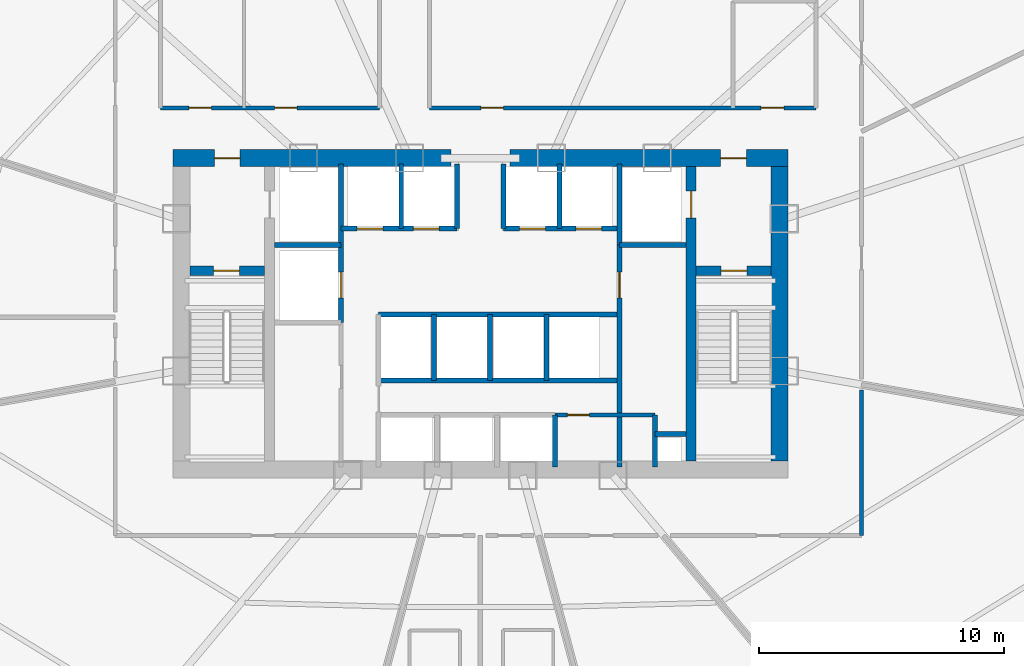
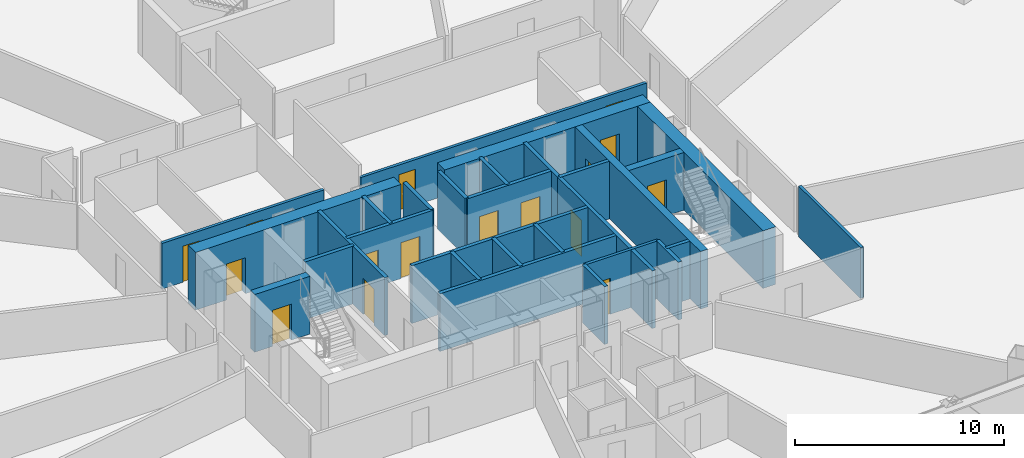
# One storey, part 31 of 38: 29 walls, 16 doors, 16 openings.
"""IFC4 building model written with IfcOpenShell, lengths in metres."""

from ifc_helpers import new_model, si_unit, direction, frame, frame_2d, origin, origin_with_axes, place, context, subcontext, project, spatial, rectangle, extrude, source, transform, mapped, material, layer, layer_set, type_object, element, fill, save


model = new_model("IFC4")

# Units and contexts
model_context = context("Model", 3, precision=1e-05, world=origin(), true_north=direction((0.0, 1.0)))
body_context = subcontext(model_context, "Body", "Model", "MODEL_VIEW")
ifc_project = project(units=[si_unit("LENGTHUNIT", "METRE"), si_unit("AREAUNIT", "SQUARE_METRE"), si_unit("VOLUMEUNIT", "CUBIC_METRE"), si_unit("PLANEANGLEUNIT", "RADIAN"), si_unit("MASSUNIT", "GRAM", prefix="KILO"), si_unit("THERMODYNAMICTEMPERATUREUNIT", "KELVIN"), si_unit("POWERUNIT", "WATT")], contexts=[model_context])

# Site, building, storey
site_placement = place(None, origin())
site = spatial("IfcSite", under=ifc_project, at=site_placement, CompositionType="ELEMENT")
building_placement = place(site_placement, origin())
building = spatial("IfcBuilding", under=site, at=building_placement, Name="Yunzhuo Pagoda Commons", CompositionType="ELEMENT")
storey_placement = place(building_placement, frame((0.0, 0.0, 37.659912109375)))
storey = spatial("IfcBuildingStorey", under=building, at=storey_placement, Name="L09", CompositionType="ELEMENT", Elevation=37.659912109375)

# Wall, opening, door
ifc_material_1 = material(Name="Concrete C60", Category="concrete")
ifc_layer_1 = layer(ifc_material_1, 0.699951171875)
ifc_layer_set_1 = layer_set([ifc_layer_1], Name="Concrete C60")
wall_type_1 = type_object("IfcWallType", Name="W-C01 Lower Core Shear Wall 700", PredefinedType="SHEAR", material=ifc_layer_set_1)
wall_1_placement = place(storey_placement, frame((35.449951171875, 40.199951171875, 0.0), z_axis=(0.0, 0.0, 1.0), x_axis=(1.0, 0.0, 0.0)))
wall_1 = element("IfcWall", 1, at=wall_1_placement, inside=storey, type_object=wall_type_1, Name="L09 core shear wall NW", PredefinedType="SHEAR", context=body_context, shape_type="SweptSolid", body=[
    extrude(rectangle(XDim=11.35009765625, YDim=0.699951171875, at=frame_2d((5.675048828125, 0.0))), origin(), (0.0, 0.0, 1.0), 3.3701171875),
])
opening_1_placement = place(wall_1_placement, frame((1.699951171875, 0.0, 0.0)))
opening_1 = element("IfcOpeningElement", 2, at=opening_1_placement, cuts=wall_1, Name="Opening D-02", PredefinedType="OPENING", context=body_context, shape_type="SweptSolid", body=[
    extrude(rectangle(XDim=1.050048828125, YDim=2.10009765625, at=frame_2d((0.52490234375, 1.050048828125))), frame((0.0, 0.35986328125, 0.0), z_axis=(0.0, -1.0, 0.0), x_axis=(1.0, 0.0, 0.0)), (0.0, 0.0, 1.0), 0.719970703125),
])
ifc_material_2 = material(Name="Galvanized fire-resisting metal leaf")
door_type_1 = type_object("IfcDoorType", Name="D-02 Firefighting Lobby & Refuge Fire Door 1050x2100", OperationType="NOTDEFINED", PredefinedType="DOOR", material=ifc_material_2)
shared_shape_1 = source(origin(), body_context, "Body", "SweptSolid", [
    extrude(rectangle(XDim=1.050048828125, YDim=2.10009765625, at=frame_2d((0.52490234375, 1.050048828125))), frame((0.0, 0.02490234375, 0.0), z_axis=(0.0, -1.0, 0.0), x_axis=(1.0, 0.0, 0.0)), (0.0, 0.0, 1.0), 0.050048828125),
])
door_1_placement = place(opening_1_placement, frame((1.050048828125, 0.0, 0.0), z_axis=(0.0, 0.0, 1.0), x_axis=(-1.0, 0.0, 0.0)))
door_1 = element("IfcDoor", 3, at=door_1_placement, inside=storey, type_object=door_type_1, Name="L09 Firefighting Lobby 1 fire door", OperationType="SINGLE_SWING_LEFT", OverallHeight=2.10009765625, OverallWidth=1.050048828125, PredefinedType="DOOR", context=body_context, shape_type="MappedRepresentation", body=[
    mapped(shared_shape_1, transform((0.0, 0.0, 0.0), scale=1.0)),
])
fill(opening_1, door_1)

wall_2_placement = place(storey_placement, frame((49.199951171875, 40.199951171875, 0.0), z_axis=(0.0, 0.0, 1.0), x_axis=(1.0, 0.0, 0.0)))
wall_2 = element("IfcWall", 4, at=wall_2_placement, inside=storey, type_object=wall_type_1, Name="L09 core shear wall NE", PredefinedType="SHEAR", context=body_context, shape_type="SweptSolid", body=[
    extrude(rectangle(XDim=11.35009765625, YDim=0.699951171875, at=frame_2d((5.675048828125, 0.0))), origin(), (0.0, 0.0, 1.0), 3.3701171875),
])
opening_2_placement = place(wall_2_placement, frame((8.60009765625, 0.0, 0.0)))
opening_2 = element("IfcOpeningElement", 5, at=opening_2_placement, cuts=wall_2, Name="Opening D-02", PredefinedType="OPENING", context=body_context, shape_type="SweptSolid", body=[
    extrude(rectangle(XDim=1.050048828125, YDim=2.10009765625, at=frame_2d((0.52490234375, 1.050048828125))), frame((0.0, 0.35986328125, 0.0), z_axis=(0.0, -1.0, 0.0), x_axis=(1.0, 0.0, 0.0)), (0.0, 0.0, 1.0), 0.719970703125),
])
door_2_placement = place(opening_2_placement, frame((1.050048828125, 0.0, 0.0), z_axis=(0.0, 0.0, 1.0), x_axis=(-1.0, 0.0, 0.0)))
door_2 = element("IfcDoor", 6, at=door_2_placement, inside=storey, type_object=door_type_1, Name="L09 Firefighting Lobby 2 fire door", OperationType="SINGLE_SWING_RIGHT", OverallHeight=2.10009765625, OverallWidth=1.050048828125, PredefinedType="DOOR", context=body_context, shape_type="MappedRepresentation", body=[
    mapped(shared_shape_1, transform((0.0, 0.0, 0.0), scale=1.0)),
])
fill(opening_2, door_2)

# Wall
wall_3_placement = place(storey_placement, frame((60.199951171875, 27.85009765625, 0.0), z_axis=(0.0, 0.0, 1.0), x_axis=(0.0, 1.0, 0.0)))
element("IfcWall", 7, at=wall_3_placement, inside=storey, type_object=wall_type_1, Name="L09 core shear wall E", PredefinedType="SHEAR", context=body_context, shape_type="SweptSolid", body=[
    extrude(rectangle(XDim=12.0, YDim=0.699951171875, at=frame_2d((6.0, 0.0))), origin(), (0.0, 0.0, 1.0), 3.3701171875),
])

# Wall, opening, door
ifc_material_3 = material(Name="Gypsum plasterboard on acoustic stud")
ifc_layer_2 = layer(ifc_material_3, 0.159912109375)
ifc_layer_set_2 = layer_set([ifc_layer_2], Name="Gypsum plasterboard on acoustic stud")
wall_type_2 = type_object("IfcWallType", Name="W-COR1 Tower Rated Corridor Wall 160", PredefinedType="PARTITIONING", material=ifc_layer_set_2)
wall_4_placement = place(storey_placement, frame((51.050048828125, 29.719970703125, 0.0), z_axis=(0.0, 0.0, 1.0), x_axis=(1.0, 0.0, 0.0)))
wall_4 = element("IfcWall", 8, at=wall_4_placement, inside=storey, type_object=wall_type_2, Name="L09 interior wall IW-L09-CSES", PredefinedType="PARTITIONING", context=body_context, shape_type="SweptSolid", body=[
    extrude(rectangle(XDim=4.070068359375, YDim=0.159912109375, at=frame_2d((2.03515625, 0.0))), origin(), (0.0, 0.0, 1.0), 3.3701171875),
])
opening_3_placement = place(wall_4_placement, frame((0.5, 0.0, 0.0)))
opening_3 = element("IfcOpeningElement", 9, at=opening_3_placement, cuts=wall_4, Name="Opening D-03", PredefinedType="OPENING", context=body_context, shape_type="SweptSolid", body=[
    extrude(rectangle(XDim=0.89990234375, YDim=2.10009765625, at=frame_2d((0.449951171875, 1.050048828125))), frame((0.0, 0.08984375, 0.0), z_axis=(0.0, -1.0, 0.0), x_axis=(1.0, 0.0, 0.0)), (0.0, 0.0, 1.0), 0.179931640625),
])
door_type_2 = type_object("IfcDoorType", Name="D-03 Core Service Fire Door 900x2100", OperationType="NOTDEFINED", PredefinedType="DOOR", material=ifc_material_2)
shared_shape_2 = source(origin(), body_context, "Body", "SweptSolid", [
    extrude(rectangle(XDim=0.89990234375, YDim=2.10009765625, at=frame_2d((0.449951171875, 1.050048828125))), frame((0.0, 0.02490234375, 0.0), z_axis=(0.0, -1.0, 0.0), x_axis=(1.0, 0.0, 0.0)), (0.0, 0.0, 1.0), 0.050048828125),
])
door_3_placement = place(opening_3_placement, origin_with_axes())
door_3 = element("IfcDoor", 10, at=door_3_placement, inside=storey, type_object=door_type_2, Name="L09 cleaner store door", OperationType="SINGLE_SWING_LEFT", OverallHeight=2.10009765625, OverallWidth=0.89990234375, PredefinedType="DOOR", context=body_context, shape_type="MappedRepresentation", body=[
    mapped(shared_shape_2, transform((0.0, 0.0, 0.0), scale=1.0)),
])
fill(opening_3, door_3)

# Wall, openings, doors
wall_5_placement = place(storey_placement, frame((34.949951171875, 42.25, 0.0), z_axis=(0.0, 0.0, 1.0), x_axis=(1.0, 0.0, 0.0)))
wall_5 = element("IfcWall", 11, at=wall_5_placement, inside=storey, type_object=wall_type_2, Name="L09 interior wall IW-L09-ISLWS", PredefinedType="PARTITIONING", context=body_context, shape_type="SweptSolid", body=[
    extrude(rectangle(XDim=8.929931640625, YDim=0.159912109375, at=frame_2d((4.46484375, 0.0))), origin(), (0.0, 0.0, 1.0), 2.670166015625),
])
opening_4_placement = place(wall_5_placement, frame((1.14990234375, 0.0, 0.0)))
opening_4 = element("IfcOpeningElement", 12, at=opening_4_placement, cuts=wall_5, Name="Opening D-04", PredefinedType="OPENING", context=body_context, shape_type="SweptSolid", body=[
    extrude(rectangle(XDim=0.919921875, YDim=2.10009765625, at=frame_2d((0.4599609375, 1.050048828125))), frame((0.0, 0.08984375, 0.0), z_axis=(0.0, -1.0, 0.0), x_axis=(1.0, 0.0, 0.0)), (0.0, 0.0, 1.0), 0.179931640625),
])
opening_5_placement = place(wall_5_placement, frame((4.64990234375, 0.0, 0.0)))
opening_5 = element("IfcOpeningElement", 13, at=opening_5_placement, cuts=wall_5, Name="Opening D-04", PredefinedType="OPENING", context=body_context, shape_type="SweptSolid", body=[
    extrude(rectangle(XDim=0.919921875, YDim=2.10009765625, at=frame_2d((0.4599609375, 1.050048828125))), frame((0.0, 0.08984375, 0.0), z_axis=(0.0, -1.0, 0.0), x_axis=(1.0, 0.0, 0.0)), (0.0, 0.0, 1.0), 0.179931640625),
])
ifc_material_4 = material(Name="Powder-coated aluminium and timber acoustic leaf", Category="wood")
door_type_3 = type_object("IfcDoorType", Name="D-04 Bedroom & Study Interior Door 920x2100", OperationType="NOTDEFINED", PredefinedType="DOOR", material=ifc_material_4)
shared_shape_3 = source(origin(), body_context, "Body", "SweptSolid", [
    extrude(rectangle(XDim=0.919921875, YDim=2.10009765625, at=frame_2d((0.4599609375, 1.050048828125))), frame((0.0, 0.02490234375, 0.0), z_axis=(0.0, -1.0, 0.0), x_axis=(1.0, 0.0, 0.0)), (0.0, 0.0, 1.0), 0.050048828125),
])
door_4_placement = place(opening_4_placement, frame((0.919921875, 0.0, 0.0), z_axis=(0.0, 0.0, 1.0), x_axis=(-1.0, 0.0, 0.0)))
door_4 = element("IfcDoor", 14, at=door_4_placement, inside=storey, type_object=door_type_3, Name="L09 laundry door", OperationType="SINGLE_SWING_LEFT", OverallHeight=2.10009765625, OverallWidth=0.919921875, PredefinedType="DOOR", context=body_context, shape_type="MappedRepresentation", body=[
    mapped(shared_shape_3, transform((0.0, 0.0, 0.0), scale=1.0)),
])
fill(opening_4, door_4)
door_5_placement = place(opening_5_placement, frame((0.919921875, 0.0, 0.0), z_axis=(0.0, 0.0, 1.0), x_axis=(-1.0, 0.0, 0.0)))
door_5 = element("IfcDoor", 15, at=door_5_placement, inside=storey, type_object=door_type_3, Name="L09 study commons W door", OperationType="SINGLE_SWING_RIGHT", OverallHeight=2.10009765625, OverallWidth=0.919921875, PredefinedType="DOOR", context=body_context, shape_type="MappedRepresentation", body=[
    mapped(shared_shape_3, transform((0.0, 0.0, 0.0), scale=1.0)),
])
fill(opening_5, door_5)

wall_6_placement = place(storey_placement, frame((45.919921875, 42.25, 0.0), z_axis=(0.0, 0.0, 1.0), x_axis=(1.0, 0.0, 0.0)))
wall_6 = element("IfcWall", 16, at=wall_6_placement, inside=storey, type_object=wall_type_2, Name="L09 interior wall IW-L09-ISLES", PredefinedType="PARTITIONING", context=body_context, shape_type="SweptSolid", body=[
    extrude(rectangle(XDim=15.780029296875, YDim=0.159912109375, at=frame_2d((7.89013671875, 0.0))), origin(), (0.0, 0.0, 1.0), 2.670166015625),
])
opening_6_placement = place(wall_6_placement, frame((2.10009765625, 0.0, 0.0)))
opening_6 = element("IfcOpeningElement", 17, at=opening_6_placement, cuts=wall_6, Name="Opening D-04", PredefinedType="OPENING", context=body_context, shape_type="SweptSolid", body=[
    extrude(rectangle(XDim=0.919921875, YDim=2.10009765625, at=frame_2d((0.4599609375, 1.050048828125))), frame((0.0, 0.08984375, 0.0), z_axis=(0.0, -1.0, 0.0), x_axis=(1.0, 0.0, 0.0)), (0.0, 0.0, 1.0), 0.179931640625),
])
opening_7_placement = place(wall_6_placement, frame((13.530029296875, 0.0, 0.0)))
opening_7 = element("IfcOpeningElement", 18, at=opening_7_placement, cuts=wall_6, Name="Opening D-11", PredefinedType="OPENING", context=body_context, shape_type="SweptSolid", body=[
    extrude(rectangle(XDim=0.93994140625, YDim=2.10009765625, at=frame_2d((0.469970703125, 1.050048828125))), frame((0.0, 0.08984375, 0.0), z_axis=(0.0, -1.0, 0.0), x_axis=(1.0, 0.0, 0.0)), (0.0, 0.0, 1.0), 0.179931640625),
])
door_type_4 = type_object("IfcDoorType", Name="D-11 Accessible Washroom Fire Door 940x2100", OperationType="NOTDEFINED", PredefinedType="DOOR", material=ifc_material_2)
shared_shape_4 = source(origin(), body_context, "Body", "SweptSolid", [
    extrude(rectangle(XDim=0.93994140625, YDim=2.10009765625, at=frame_2d((0.469970703125, 1.050048828125))), frame((0.0, 0.02490234375, 0.0), z_axis=(0.0, -1.0, 0.0), x_axis=(1.0, 0.0, 0.0)), (0.0, 0.0, 1.0), 0.050048828125),
])
door_6_placement = place(opening_7_placement, frame((0.93994140625, 0.0, 0.0), z_axis=(0.0, 0.0, 1.0), x_axis=(-1.0, 0.0, 0.0)))
door_6 = element("IfcDoor", 19, at=door_6_placement, inside=storey, type_object=door_type_4, Name="L09 accessible WC door", OperationType="SINGLE_SWING_RIGHT", OverallHeight=2.10009765625, OverallWidth=0.93994140625, PredefinedType="DOOR", context=body_context, shape_type="MappedRepresentation", body=[
    mapped(shared_shape_4, transform((0.0, 0.0, 0.0), scale=1.0)),
])
fill(opening_7, door_6)
door_7_placement = place(opening_6_placement, frame((0.919921875, 0.0, 0.0), z_axis=(0.0, 0.0, 1.0), x_axis=(-1.0, 0.0, 0.0)))
door_7 = element("IfcDoor", 20, at=door_7_placement, inside=storey, type_object=door_type_3, Name="L09 reading commons door", OperationType="SINGLE_SWING_LEFT", OverallHeight=2.10009765625, OverallWidth=0.919921875, PredefinedType="DOOR", context=body_context, shape_type="MappedRepresentation", body=[
    mapped(shared_shape_3, transform((0.0, 0.0, 0.0), scale=1.0)),
])
fill(opening_6, door_7)

# Wall
wall_7_placement = place(storey_placement, frame((63.550048828125, 30.734619140625, 0.0), z_axis=(0.0, 0.0, 1.0), x_axis=(0.0, -1.0, 0.0)))
element("IfcWall", 21, at=wall_7_placement, inside=storey, type_object=wall_type_2, Name="L09 interior wall IW-L09-CWL16", PredefinedType="PARTITIONING", context=body_context, shape_type="SweptSolid", body=[
    extrude(rectangle(XDim=5.9345703125, YDim=0.159912109375, at=frame_2d((2.96728515625, 0.0))), origin(), (0.0, 0.0, 1.0), 2.969970703125),
])

# Wall, opening, door
ifc_layer_3 = layer(ifc_material_1, 0.39990234375)
ifc_layer_set_3 = layer_set([ifc_layer_3], Name="Concrete C60")
wall_type_3 = type_object("IfcWallType", Name="W-S01 Internal Core Shear Web 400", PredefinedType="SHEAR", material=ifc_layer_set_3)
wall_8_placement = place(storey_placement, frame((56.60009765625, 27.85009765625, 0.0), z_axis=(0.0, 0.0, 1.0), x_axis=(0.0, 1.0, 0.0)))
wall_8 = element("IfcWall", 22, at=wall_8_placement, inside=storey, type_object=wall_type_3, Name="L09 core shear wall WEBE", PredefinedType="SHEAR", context=body_context, shape_type="SweptSolid", body=[
    extrude(rectangle(XDim=12.0, YDim=0.39990234375, at=frame_2d((6.0, 0.0))), origin(), (0.0, 0.0, 1.0), 3.3701171875),
])
opening_8_placement = place(wall_8_placement, frame((9.89990234375, 0.0, 0.0)))
opening_8 = element("IfcOpeningElement", 23, at=opening_8_placement, cuts=wall_8, Name="Opening LD-01", PredefinedType="OPENING", context=body_context, shape_type="SweptSolid", body=[
    extrude(rectangle(XDim=1.10009765625, YDim=2.10009765625, at=frame_2d((0.550048828125, 1.050048828125))), frame((0.0, 0.2099609375, 0.0), z_axis=(0.0, -1.0, 0.0), x_axis=(1.0, 0.0, 0.0)), (0.0, 0.0, 1.0), 0.419921875),
])
door_type_5 = type_object("IfcDoorType", Name="LD-01 Firefighting Lift Landing Door 1100x2100", OperationType="DOUBLE_DOOR_SLIDING", PredefinedType="DOOR", material=ifc_material_2)
shared_shape_5 = source(origin(), body_context, "Body", "SweptSolid", [
    extrude(rectangle(XDim=1.10009765625, YDim=2.10009765625, at=frame_2d((0.550048828125, 1.050048828125))), frame((0.0, 0.02490234375, 0.0), z_axis=(0.0, -1.0, 0.0), x_axis=(1.0, 0.0, 0.0)), (0.0, 0.0, 1.0), 0.050048828125),
])
door_8_placement = place(opening_8_placement, origin_with_axes())
door_8 = element("IfcDoor", 24, at=door_8_placement, inside=storey, type_object=door_type_5, Name="L09 Firefighting lift FL-2 landing door", OperationType="DOUBLE_DOOR_SLIDING", OverallHeight=2.10009765625, OverallWidth=1.10009765625, PredefinedType="DOOR", context=body_context, shape_type="MappedRepresentation", body=[
    mapped(shared_shape_5, transform((0.0, 0.0, 0.0), scale=1.0)),
])
fill(opening_8, door_8)

wall_9_placement = place(storey_placement, frame((36.14990234375, 35.60009765625, 0.0), z_axis=(0.0, 0.0, 1.0), x_axis=(1.0, 0.0, 0.0)))
wall_9 = element("IfcWall", 25, at=wall_9_placement, inside=storey, type_object=wall_type_3, Name="L09 core shear wall STW", PredefinedType="SHEAR", context=body_context, shape_type="SweptSolid", body=[
    extrude(rectangle(XDim=3.050048828125, YDim=0.39990234375, at=frame_2d((1.52490234375, 0.0))), origin(), (0.0, 0.0, 1.0), 3.3701171875),
])
opening_9_placement = place(wall_9_placement, frame((0.969970703125, 0.0, 0.0)))
opening_9 = element("IfcOpeningElement", 26, at=opening_9_placement, cuts=wall_9, Name="Opening D-01", PredefinedType="OPENING", context=body_context, shape_type="SweptSolid", body=[
    extrude(rectangle(XDim=1.050048828125, YDim=2.10009765625, at=frame_2d((0.52490234375, 1.050048828125))), frame((0.0, 0.2099609375, 0.0), z_axis=(0.0, -1.0, 0.0), x_axis=(1.0, 0.0, 0.0)), (0.0, 0.0, 1.0), 0.419921875),
])
door_type_6 = type_object("IfcDoorType", Name="D-01 Smokeproof Stair Fire Door 1050x2100", OperationType="NOTDEFINED", PredefinedType="DOOR", material=ifc_material_2)
door_9_placement = place(opening_9_placement, frame((1.050048828125, 0.0, 0.0), z_axis=(0.0, 0.0, 1.0), x_axis=(-1.0, 0.0, 0.0)))
door_9 = element("IfcDoor", 27, at=door_9_placement, inside=storey, type_object=door_type_6, Name="L09 Stair ST1 fire door", OperationType="SINGLE_SWING_LEFT", OverallHeight=2.10009765625, OverallWidth=1.050048828125, PredefinedType="DOOR", context=body_context, shape_type="MappedRepresentation", body=[
    mapped(shared_shape_1, transform((0.0, 0.0, 0.0), scale=1.0)),
])
fill(opening_9, door_9)

wall_10_placement = place(storey_placement, frame((56.800048828125, 35.60009765625, 0.0), z_axis=(0.0, 0.0, 1.0), x_axis=(1.0, 0.0, 0.0)))
wall_10 = element("IfcWall", 28, at=wall_10_placement, inside=storey, type_object=wall_type_3, Name="L09 core shear wall STE", PredefinedType="SHEAR", context=body_context, shape_type="SweptSolid", body=[
    extrude(rectangle(XDim=3.050048828125, YDim=0.39990234375, at=frame_2d((1.52490234375, 0.0))), origin(), (0.0, 0.0, 1.0), 3.3701171875),
])
opening_10_placement = place(wall_10_placement, frame((1.02001953125, 0.0, 0.0)))
opening_10 = element("IfcOpeningElement", 29, at=opening_10_placement, cuts=wall_10, Name="Opening D-01", PredefinedType="OPENING", context=body_context, shape_type="SweptSolid", body=[
    extrude(rectangle(XDim=1.050048828125, YDim=2.10009765625, at=frame_2d((0.52490234375, 1.050048828125))), frame((0.0, 0.2099609375, 0.0), z_axis=(0.0, -1.0, 0.0), x_axis=(1.0, 0.0, 0.0)), (0.0, 0.0, 1.0), 0.419921875),
])
door_10_placement = place(opening_10_placement, frame((1.050048828125, 0.0, 0.0), z_axis=(0.0, 0.0, 1.0), x_axis=(-1.0, 0.0, 0.0)))
door_10 = element("IfcDoor", 30, at=door_10_placement, inside=storey, type_object=door_type_6, Name="L09 Stair ST2 fire door", OperationType="SINGLE_SWING_RIGHT", OverallHeight=2.10009765625, OverallWidth=1.050048828125, PredefinedType="DOOR", context=body_context, shape_type="MappedRepresentation", body=[
    mapped(shared_shape_1, transform((0.0, 0.0, 0.0), scale=1.0)),
])
fill(opening_10, door_10)

ifc_material_5 = material(Name="Concrete C40", Category="concrete")
ifc_layer_4 = layer(ifc_material_5, 0.199951171875)
ifc_layer_set_4 = layer_set([ifc_layer_4], Name="Concrete C40")
wall_type_4 = type_object("IfcWallType", Name="W-SHF Shaft & Stair Enclosure Wall 200", PredefinedType="SOLIDWALL", material=ifc_layer_set_4)
wall_11_placement = place(storey_placement, frame((42.320068359375, 33.5, 0.0), z_axis=(0.0, 0.0, 1.0), x_axis=(0.0, 1.0, 0.0)))
wall_11 = element("IfcWall", 31, at=wall_11_placement, inside=storey, type_object=wall_type_4, Name="L09 interior wall IW-L09-FL1E", PredefinedType="SOLIDWALL", context=body_context, shape_type="SweptSolid", body=[
    extrude(rectangle(XDim=6.449951171875, YDim=0.199951171875, at=frame_2d((3.22509765625, 0.0))), origin(), (0.0, 0.0, 1.0), 3.3701171875),
])
opening_11_placement = place(wall_11_placement, frame((1.0, 0.0, 0.0)))
opening_11 = element("IfcOpeningElement", 32, at=opening_11_placement, cuts=wall_11, Name="Opening LD-02", PredefinedType="OPENING", context=body_context, shape_type="SweptSolid", body=[
    extrude(rectangle(XDim=1.050048828125, YDim=2.10009765625, at=frame_2d((0.52490234375, 1.050048828125))), frame((0.0, 0.10986328125, 0.0), z_axis=(0.0, -1.0, 0.0), x_axis=(1.0, 0.0, 0.0)), (0.0, 0.0, 1.0), 0.219970703125),
])
door_type_7 = type_object("IfcDoorType", Name="LD-02 Passenger Lift Landing Door 1050x2100", OperationType="DOUBLE_DOOR_SLIDING", PredefinedType="DOOR", material=ifc_material_2)
door_11_placement = place(opening_11_placement, origin_with_axes())
door_11 = element("IfcDoor", 33, at=door_11_placement, inside=storey, type_object=door_type_7, Name="L09 Service lift SL-1 landing door", OperationType="DOUBLE_DOOR_SLIDING", OverallHeight=2.10009765625, OverallWidth=1.050048828125, PredefinedType="DOOR", context=body_context, shape_type="MappedRepresentation", body=[
    mapped(shared_shape_1, transform((0.0, 0.0, 0.0), scale=1.0)),
])
fill(opening_11, door_11)

# Walls
wall_12_placement = place(storey_placement, frame((39.60009765625, 36.64990234375, 0.0), z_axis=(0.0, 0.0, 1.0), x_axis=(1.0, 0.0, 0.0)))
element("IfcWall", 34, at=wall_12_placement, inside=storey, type_object=wall_type_4, Name="L09 interior wall IW-L09-FL1S", PredefinedType="SOLIDWALL", context=body_context, shape_type="SweptSolid", body=[
    extrude(rectangle(XDim=2.719970703125, YDim=0.199951171875, at=frame_2d((1.35986328125, 0.0))), origin(), (0.0, 0.0, 1.0), 3.3701171875),
])
wall_13_placement = place(storey_placement, frame((53.679931640625, 36.64990234375, 0.0), z_axis=(0.0, 0.0, 1.0), x_axis=(0.0, 1.0, 0.0)))
element("IfcWall", 35, at=wall_13_placement, inside=storey, type_object=wall_type_4, Name="L09 interior wall IW-L09-FL2W", PredefinedType="SOLIDWALL", context=body_context, shape_type="SweptSolid", body=[
    extrude(rectangle(XDim=3.300048828125, YDim=0.199951171875, at=frame_2d((1.64990234375, 0.0))), origin(), (0.0, 0.0, 1.0), 3.3701171875),
])
wall_14_placement = place(storey_placement, frame((53.679931640625, 36.64990234375, 0.0), z_axis=(0.0, 0.0, 1.0), x_axis=(1.0, 0.0, 0.0)))
element("IfcWall", 36, at=wall_14_placement, inside=storey, type_object=wall_type_4, Name="L09 interior wall IW-L09-FL2S", PredefinedType="SOLIDWALL", context=body_context, shape_type="SweptSolid", body=[
    extrude(rectangle(XDim=2.719970703125, YDim=0.199951171875, at=frame_2d((1.35986328125, 0.0))), origin(), (0.0, 0.0, 1.0), 3.3701171875),
])

# Wall, openings, doors
wall_15_placement = place(storey_placement, frame((42.320068359375, 37.320068359375, 0.0), z_axis=(0.0, 0.0, 1.0), x_axis=(1.0, 0.0, 0.0)))
wall_15 = element("IfcWall", 37, at=wall_15_placement, inside=storey, type_object=wall_type_4, Name="L09 interior wall IW-L09-LBNW", PredefinedType="SOLIDWALL", context=body_context, shape_type="SweptSolid", body=[
    extrude(rectangle(XDim=4.72998046875, YDim=0.199951171875, at=frame_2d((2.364990234375, 0.0))), origin(), (0.0, 0.0, 1.0), 3.3701171875),
])
opening_12_placement = place(wall_15_placement, frame((0.64990234375, 0.0, 0.0)))
opening_12 = element("IfcOpeningElement", 38, at=opening_12_placement, cuts=wall_15, Name="Opening LD-02", PredefinedType="OPENING", context=body_context, shape_type="SweptSolid", body=[
    extrude(rectangle(XDim=1.050048828125, YDim=2.10009765625, at=frame_2d((0.52490234375, 1.050048828125))), frame((0.0, 0.10986328125, 0.0), z_axis=(0.0, -1.0, 0.0), x_axis=(1.0, 0.0, 0.0)), (0.0, 0.0, 1.0), 0.219970703125),
])
opening_13_placement = place(wall_15_placement, frame((2.949951171875, 0.0, 0.0)))
opening_13 = element("IfcOpeningElement", 39, at=opening_13_placement, cuts=wall_15, Name="Opening LD-02", PredefinedType="OPENING", context=body_context, shape_type="SweptSolid", body=[
    extrude(rectangle(XDim=1.050048828125, YDim=2.10009765625, at=frame_2d((0.52490234375, 1.050048828125))), frame((0.0, 0.10986328125, 0.0), z_axis=(0.0, -1.0, 0.0), x_axis=(1.0, 0.0, 0.0)), (0.0, 0.0, 1.0), 0.219970703125),
])
door_12_placement = place(opening_12_placement, frame((1.050048828125, 0.0, 0.0), z_axis=(0.0, 0.0, 1.0), x_axis=(-1.0, 0.0, 0.0)))
door_12 = element("IfcDoor", 40, at=door_12_placement, inside=storey, type_object=door_type_7, Name="L09 Passenger lift PL-L1 landing door", OperationType="DOUBLE_DOOR_SLIDING", OverallHeight=2.10009765625, OverallWidth=1.050048828125, PredefinedType="DOOR", context=body_context, shape_type="MappedRepresentation", body=[
    mapped(shared_shape_1, transform((0.0, 0.0, 0.0), scale=1.0)),
])
fill(opening_12, door_12)
door_13_placement = place(opening_13_placement, frame((1.050048828125, 0.0, 0.0), z_axis=(0.0, 0.0, 1.0), x_axis=(-1.0, 0.0, 0.0)))
door_13 = element("IfcDoor", 41, at=door_13_placement, inside=storey, type_object=door_type_7, Name="L09 Passenger lift PL-L2 landing door", OperationType="DOUBLE_DOOR_SLIDING", OverallHeight=2.10009765625, OverallWidth=1.050048828125, PredefinedType="DOOR", context=body_context, shape_type="MappedRepresentation", body=[
    mapped(shared_shape_1, transform((0.0, 0.0, 0.0), scale=1.0)),
])
fill(opening_13, door_13)

wall_16_placement = place(storey_placement, frame((48.949951171875, 37.320068359375, 0.0), z_axis=(0.0, 0.0, 1.0), x_axis=(1.0, 0.0, 0.0)))
wall_16 = element("IfcWall", 42, at=wall_16_placement, inside=storey, type_object=wall_type_4, Name="L09 interior wall IW-L09-LBNE", PredefinedType="SOLIDWALL", context=body_context, shape_type="SweptSolid", body=[
    extrude(rectangle(XDim=4.72998046875, YDim=0.199951171875, at=frame_2d((2.364990234375, 0.0))), origin(), (0.0, 0.0, 1.0), 3.3701171875),
])
opening_14_placement = place(wall_16_placement, frame((0.64990234375, 0.0, 0.0)))
opening_14 = element("IfcOpeningElement", 43, at=opening_14_placement, cuts=wall_16, Name="Opening LD-02", PredefinedType="OPENING", context=body_context, shape_type="SweptSolid", body=[
    extrude(rectangle(XDim=1.050048828125, YDim=2.10009765625, at=frame_2d((0.52490234375, 1.050048828125))), frame((0.0, 0.10986328125, 0.0), z_axis=(0.0, -1.0, 0.0), x_axis=(1.0, 0.0, 0.0)), (0.0, 0.0, 1.0), 0.219970703125),
])
opening_15_placement = place(wall_16_placement, frame((2.949951171875, 0.0, 0.0)))
opening_15 = element("IfcOpeningElement", 44, at=opening_15_placement, cuts=wall_16, Name="Opening LD-02", PredefinedType="OPENING", context=body_context, shape_type="SweptSolid", body=[
    extrude(rectangle(XDim=1.050048828125, YDim=2.10009765625, at=frame_2d((0.52490234375, 1.050048828125))), frame((0.0, 0.10986328125, 0.0), z_axis=(0.0, -1.0, 0.0), x_axis=(1.0, 0.0, 0.0)), (0.0, 0.0, 1.0), 0.219970703125),
])
door_14_placement = place(opening_14_placement, frame((1.050048828125, 0.0, 0.0), z_axis=(0.0, 0.0, 1.0), x_axis=(-1.0, 0.0, 0.0)))
door_14 = element("IfcDoor", 45, at=door_14_placement, inside=storey, type_object=door_type_7, Name="L09 Passenger lift PL-L3 landing door", OperationType="DOUBLE_DOOR_SLIDING", OverallHeight=2.10009765625, OverallWidth=1.050048828125, PredefinedType="DOOR", context=body_context, shape_type="MappedRepresentation", body=[
    mapped(shared_shape_1, transform((0.0, 0.0, 0.0), scale=1.0)),
])
fill(opening_14, door_14)
door_15_placement = place(opening_15_placement, frame((1.050048828125, 0.0, 0.0), z_axis=(0.0, 0.0, 1.0), x_axis=(-1.0, 0.0, 0.0)))
door_15 = element("IfcDoor", 46, at=door_15_placement, inside=storey, type_object=door_type_7, Name="L09 Passenger lift PL-L4 landing door", OperationType="DOUBLE_DOOR_SLIDING", OverallHeight=2.10009765625, OverallWidth=1.050048828125, PredefinedType="DOOR", context=body_context, shape_type="MappedRepresentation", body=[
    mapped(shared_shape_1, transform((0.0, 0.0, 0.0), scale=1.0)),
])
fill(opening_15, door_15)

# Walls
for number, where, z_axis, x_axis, name in (
    (47, (47.050048828125, 37.320068359375, 0.0), (0.0, 0.0, 1.0), (0.0, 1.0, 0.0), "L09 interior wall IW-L09-THRW"),
    (48, (48.949951171875, 37.320068359375, 0.0), (0.0, 0.0, 1.0), (0.0, 1.0, 0.0), "L09 interior wall IW-L09-THRE"),
    (49, (44.77001953125, 37.320068359375, 0.0), (0.0, 0.0, 1.0), (0.0, 1.0, 0.0), "L09 interior wall IW-L09-PLL12"),
    (50, (51.22998046875, 37.320068359375, 0.0), (0.0, 0.0, 1.0), (0.0, 1.0, 0.0), "L09 interior wall IW-L09-PLL34"),
):
    element("IfcWall", number, at=place(storey_placement, frame(where, z_axis=z_axis, x_axis=x_axis)), inside=storey, type_object=wall_type_4, Name=name, PredefinedType="SOLIDWALL", context=body_context, shape_type="SweptSolid", body=[
        extrude(rectangle(XDim=2.6298828125, YDim=0.199951171875, at=frame_2d((1.31494140625, 0.0))), origin(), (0.0, 0.0, 1.0), 3.3701171875),
    ])
wall_17_placement = place(storey_placement, frame((43.85009765625, 33.820068359375, 0.0), z_axis=(0.0, 0.0, 1.0), x_axis=(1.0, 0.0, 0.0)))
element("IfcWall", 51, at=wall_17_placement, inside=storey, type_object=wall_type_4, Name="L09 interior wall IW-L09-MLBS", PredefinedType="SOLIDWALL", context=body_context, shape_type="SweptSolid", body=[
    extrude(rectangle(XDim=9.829833984375, YDim=0.199951171875, at=frame_2d((4.9150390625, 0.0))), origin(), (0.0, 0.0, 1.0), 3.3701171875),
])

# Wall, opening, door
wall_18_placement = place(storey_placement, frame((53.679931640625, 27.60009765625, 0.0), z_axis=(0.0, 0.0, 1.0), x_axis=(0.0, 1.0, 0.0)))
wall_18 = element("IfcWall", 52, at=wall_18_placement, inside=storey, type_object=wall_type_4, Name="L09 interior wall IW-L09-PLME", PredefinedType="SOLIDWALL", context=body_context, shape_type="SweptSolid", body=[
    extrude(rectangle(XDim=9.0498046875, YDim=0.199951171875, at=frame_2d((4.52490234375, 0.0))), origin(), (0.0, 0.0, 1.0), 3.3701171875),
])
opening_16_placement = place(wall_18_placement, frame((6.89990234375, 0.0, 0.0)))
opening_16 = element("IfcOpeningElement", 53, at=opening_16_placement, cuts=wall_18, Name="Opening D-02", PredefinedType="OPENING", context=body_context, shape_type="SweptSolid", body=[
    extrude(rectangle(XDim=1.050048828125, YDim=2.10009765625, at=frame_2d((0.52490234375, 1.050048828125))), frame((0.0, 0.10986328125, 0.0), z_axis=(0.0, -1.0, 0.0), x_axis=(1.0, 0.0, 0.0)), (0.0, 0.0, 1.0), 0.219970703125),
])
door_16_placement = place(opening_16_placement, origin_with_axes())
door_16 = element("IfcDoor", 54, at=door_16_placement, inside=storey, type_object=door_type_1, Name="L09 High-bank lift hall door", OperationType="SINGLE_SWING_RIGHT", OverallHeight=2.10009765625, OverallWidth=1.050048828125, PredefinedType="DOOR", context=body_context, shape_type="MappedRepresentation", body=[
    mapped(shared_shape_1, transform((0.0, 0.0, 0.0), scale=1.0)),
])
fill(opening_16, door_16)

# Walls
for number, where, z_axis, x_axis, name in (
    (55, (46.10009765625, 31.1201171875, 0.0), (0.0, 0.0, 1.0), (0.0, 1.0, 0.0), "L09 interior wall IW-L09-PLMD1"),
    (56, (48.39990234375, 31.1201171875, 0.0), (0.0, 0.0, 1.0), (0.0, 1.0, 0.0), "L09 interior wall IW-L09-PLMD2"),
    (57, (50.699951171875, 31.1201171875, 0.0), (0.0, 0.0, 1.0), (0.0, 1.0, 0.0), "L09 interior wall IW-L09-PLMD3"),
):
    element("IfcWall", number, at=place(storey_placement, frame(where, z_axis=z_axis, x_axis=x_axis)), inside=storey, type_object=wall_type_4, Name=name, PredefinedType="SOLIDWALL", context=body_context, shape_type="SweptSolid", body=[
        extrude(rectangle(XDim=2.699951171875, YDim=0.199951171875, at=frame_2d((1.35009765625, 0.0))), origin(), (0.0, 0.0, 1.0), 3.3701171875),
    ])
wall_19_placement = place(storey_placement, frame((51.050048828125, 27.60009765625, 0.0), z_axis=(0.0, 0.0, 1.0), x_axis=(0.0, 1.0, 0.0)))
element("IfcWall", 58, at=wall_19_placement, inside=storey, type_object=wall_type_4, Name="L09 interior wall IW-L09-PLHE", PredefinedType="SOLIDWALL", context=body_context, shape_type="SweptSolid", body=[
    extrude(rectangle(XDim=2.119873046875, YDim=0.199951171875, at=frame_2d((1.06005859375, 0.0))), origin(), (0.0, 0.0, 1.0), 3.3701171875),
])
wall_20_placement = place(storey_placement, frame((43.85009765625, 31.1201171875, 0.0), z_axis=(0.0, 0.0, 1.0), x_axis=(1.0, 0.0, 0.0)))
element("IfcWall", 59, at=wall_20_placement, inside=storey, type_object=wall_type_4, Name="L09 interior wall IW-L09-PLMS2", PredefinedType="SOLIDWALL", context=body_context, shape_type="SweptSolid", body=[
    extrude(rectangle(XDim=9.829833984375, YDim=0.199951171875, at=frame_2d((4.9150390625, 0.0))), origin(), (0.0, 0.0, 1.0), 3.3701171875),
])
wall_21_placement = place(storey_placement, frame((55.1201171875, 27.60009765625, 0.0), z_axis=(0.0, 0.0, 1.0), x_axis=(0.0, 1.0, 0.0)))
element("IfcWall", 60, at=wall_21_placement, inside=storey, type_object=wall_type_4, Name="L09 interior wall IW-L09-RSHFW", PredefinedType="SOLIDWALL", context=body_context, shape_type="SweptSolid", body=[
    extrude(rectangle(XDim=2.119873046875, YDim=0.199951171875, at=frame_2d((1.06005859375, 0.0))), origin(), (0.0, 0.0, 1.0), 3.3701171875),
])
wall_22_placement = place(storey_placement, frame((55.1201171875, 28.949951171875, 0.0), z_axis=(0.0, 0.0, 1.0), x_axis=(1.0, 0.0, 0.0)))
element("IfcWall", 61, at=wall_22_placement, inside=storey, type_object=wall_type_4, Name="L09 interior wall IW-L09-RSHFN", PredefinedType="SOLIDWALL", context=body_context, shape_type="SweptSolid", body=[
    extrude(rectangle(XDim=1.27978515625, YDim=0.199951171875, at=frame_2d((0.639892578125, 0.0))), origin(), (0.0, 0.0, 1.0), 3.3701171875),
])

save(model, "model.ifc")
